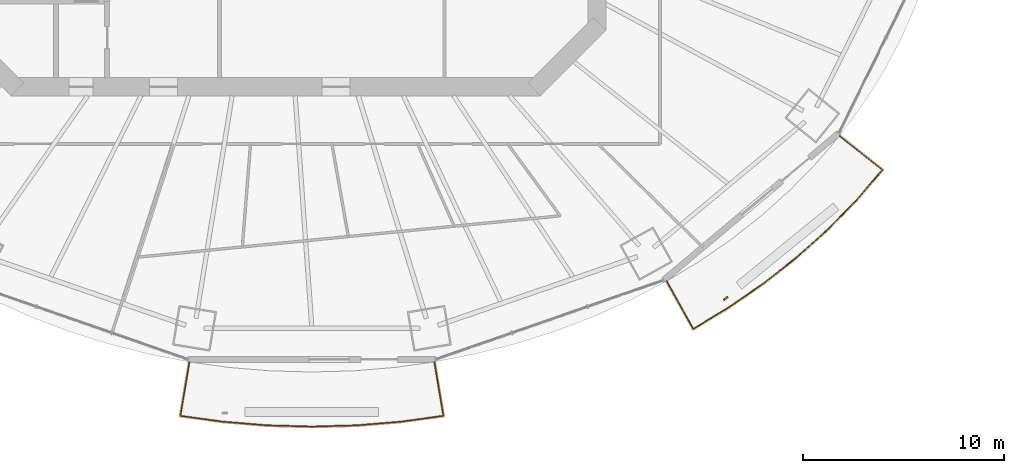
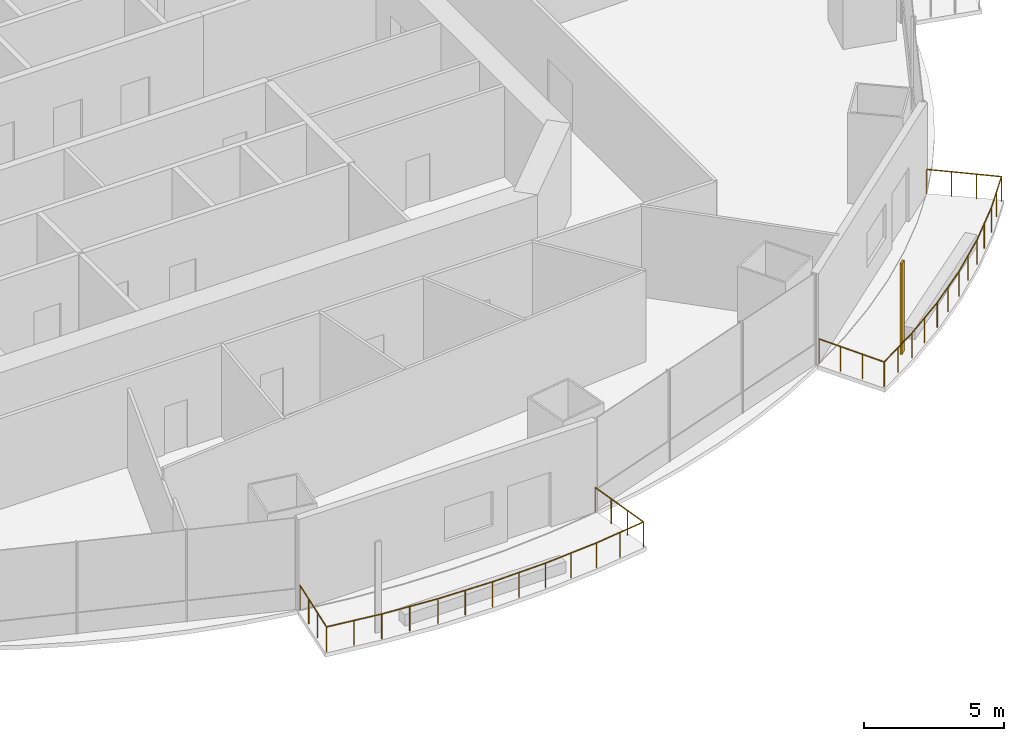
# One storey, part 17 of 21: 2 railings, 1 shading device.
"""IFC4 building model written with IfcOpenShell, lengths in metres."""

from ifc_helpers import new_model, si_unit, direction, frame, origin, origin_2d, place, context, subcontext, project, spatial, rectangle, circle, extrude, material, material_profile, profile_set, type_object, element, save


model = new_model("IFC4")

# Units and contexts
model_context = context("Model", 3, precision=1e-05, world=origin(), true_north=direction((0.0, 1.0)))
body_context = subcontext(model_context, "Body", "Model", "MODEL_VIEW")
ifc_project = project(units=[si_unit("LENGTHUNIT", "METRE"), si_unit("AREAUNIT", "SQUARE_METRE"), si_unit("VOLUMEUNIT", "CUBIC_METRE"), si_unit("PLANEANGLEUNIT", "RADIAN"), si_unit("MASSUNIT", "GRAM", prefix="KILO")], contexts=[model_context])

# Site, building, storey
site_placement = place(None, origin())
site = spatial("IfcSite", under=ifc_project, at=site_placement, CompositionType="ELEMENT")
building_placement = place(site_placement, origin())
building = spatial("IfcBuilding", under=site, at=building_placement, Name="Marenthal Gate Tower", CompositionType="ELEMENT")
storey_placement = place(building_placement, frame((0.0, 0.0, 206.699951171875)))
storey = spatial("IfcBuildingStorey", under=building, at=storey_placement, Name="L45", CompositionType="ELEMENT", Elevation=206.699951171875)

# Railings
ifc_material_1 = material(Name="Stainless steel", Category="steel")
railing_type = type_object("IfcRailingType", Name="Balcony guard 1100", PredefinedType="GUARDRAIL", material=ifc_material_1)
railing_1_placement = place(storey_placement, frame((7.90380859375, -26.716796875, 0.0)))
element("IfcRailing", 1, at=railing_1_placement, inside=storey, type_object=railing_type, Name="Balcony guard L45 bay 12", PredefinedType="GUARDRAIL", context=body_context, shape_type="SweptSolid", body=[
    extrude(circle(Radius=0.02392578125, at=origin_2d()), frame((0.0, 0.0, 1.076171875), z_axis=(0.16486141703, -0.98620691984, -0.01471816679), x_axis=(0.986313755456, 0.164879276438, 0.0)), (0.0, 0.0, 1.0), 2.720458984375),
    extrude(circle(Radius=0.02392578125, at=origin_2d()), frame((0.448486328125, -2.682861328125, 1.0361328125), z_axis=(-0.990663219108, -0.136331897612, 0.0), x_axis=(0.136331897612, -0.990663219108, 0.0)), (0.0, 0.0, 1.0), 2.136474609375),
    extrude(circle(Radius=0.02392578125, at=origin_2d()), frame((-1.66796875, -2.97412109375, 1.0361328125), z_axis=(-0.996604639132, -0.082335856465, 0.0), x_axis=(0.082335856465, -0.996604639132, 0.0)), (0.0, 0.0, 1.0), 2.220947265625),
    extrude(circle(Radius=0.02392578125, at=origin_2d()), frame((-3.88134765625, -3.156982421875, 1.0361328125), z_axis=(-0.999620072433, -0.027562851607, 0.0), x_axis=(0.027562851607, -0.999620072433, 0.0)), (0.0, 0.0, 1.0), 2.22314453125),
    extrude(circle(Radius=0.02392578125, at=origin_2d()), frame((-6.103759765625, -3.21826171875, 1.0361328125), z_axis=(-0.999620072433, 0.027562851607, 0.0), x_axis=(-0.027562851607, -0.999620072433, 0.0)), (0.0, 0.0, 1.0), 2.22314453125),
    extrude(circle(Radius=0.02392578125, at=origin_2d()), frame((-8.326171875, -3.156982421875, 1.0361328125), z_axis=(-0.996604639132, 0.082335856465, 0.0), x_axis=(-0.082335856465, -0.996604639132, 0.0)), (0.0, 0.0, 1.0), 2.220947265625),
    extrude(circle(Radius=0.02392578125, at=origin_2d()), frame((-10.53955078125, -2.97412109375, 1.0361328125), z_axis=(-0.990665342735, 0.136316465269, 0.0), x_axis=(-0.136316465269, -0.990665342735, 0.0)), (0.0, 0.0, 1.0), 2.13671875),
    extrude(circle(Radius=0.02392578125, at=origin_2d()), frame((-12.65625, -2.682861328125, 1.0361328125), z_axis=(0.16486141703, 0.98620691984, 0.01471816679), x_axis=(-0.986313755456, 0.164879276438, 0.0)), (0.0, 0.0, 1.0), 2.720458984375),
    extrude(circle(Radius=0.02099609375, at=origin_2d()), origin(), (0.0, 0.0, 1.0), 1.052001953125),
    extrude(circle(Radius=0.02099609375, at=origin_2d()), frame((0.1494140625, -0.894287109375, -0.013427734375)), (0.0, 0.0, 1.0), 1.052001953125),
    extrude(circle(Radius=0.02099609375, at=origin_2d()), frame((0.299072265625, -1.78857421875, -0.026611328125)), (0.0, 0.0, 1.0), 1.052001953125),
    extrude(circle(Radius=0.02099609375, at=origin_2d()), frame((0.448486328125, -2.682861328125, -0.0400390625)), (0.0, 0.0, 1.0), 1.052001953125),
    extrude(circle(Radius=0.02099609375, at=origin_2d()), frame((-0.60986328125, -2.82861328125, -0.0400390625)), (0.0, 0.0, 1.0), 1.052001953125),
    extrude(circle(Radius=0.02099609375, at=origin_2d()), frame((-1.66796875, -2.97412109375, -0.0400390625)), (0.0, 0.0, 1.0), 1.052001953125),
    extrude(circle(Radius=0.02099609375, at=origin_2d()), frame((-2.774658203125, -3.0654296875, -0.0400390625)), (0.0, 0.0, 1.0), 1.052001953125),
    extrude(circle(Radius=0.02099609375, at=origin_2d()), frame((-3.88134765625, -3.156982421875, -0.0400390625)), (0.0, 0.0, 1.0), 1.052001953125),
    extrude(circle(Radius=0.02099609375, at=origin_2d()), frame((-4.99267578125, -3.1875, -0.0400390625)), (0.0, 0.0, 1.0), 1.052001953125),
    extrude(circle(Radius=0.02099609375, at=origin_2d()), frame((-6.103759765625, -3.21826171875, -0.0400390625)), (0.0, 0.0, 1.0), 1.052001953125),
    extrude(circle(Radius=0.02099609375, at=origin_2d()), frame((-7.21484375, -3.1875, -0.0400390625)), (0.0, 0.0, 1.0), 1.052001953125),
    extrude(circle(Radius=0.02099609375, at=origin_2d()), frame((-8.326171875, -3.156982421875, -0.0400390625)), (0.0, 0.0, 1.0), 1.052001953125),
    extrude(circle(Radius=0.02099609375, at=origin_2d()), frame((-9.432861328125, -3.0654296875, -0.0400390625)), (0.0, 0.0, 1.0), 1.052001953125),
    extrude(circle(Radius=0.02099609375, at=origin_2d()), frame((-10.53955078125, -2.97412109375, -0.0400390625)), (0.0, 0.0, 1.0), 1.052001953125),
    extrude(circle(Radius=0.02099609375, at=origin_2d()), frame((-11.597900390625, -2.82861328125, -0.0400390625)), (0.0, 0.0, 1.0), 1.052001953125),
    extrude(circle(Radius=0.02099609375, at=origin_2d()), frame((-12.65625, -2.682861328125, -0.0400390625)), (0.0, 0.0, 1.0), 1.052001953125),
    extrude(circle(Radius=0.02099609375, at=origin_2d()), frame((-12.5068359375, -1.78857421875, -0.026611328125)), (0.0, 0.0, 1.0), 1.052001953125),
    extrude(circle(Radius=0.02099609375, at=origin_2d()), frame((-12.357177734375, -0.894287109375, -0.013427734375)), (0.0, 0.0, 1.0), 1.052001953125),
    extrude(circle(Radius=0.02099609375, at=origin_2d()), frame((-12.207763671875, 0.0, 0.0)), (0.0, 0.0, 1.0), 1.052001953125),
])
railing_2_placement = place(storey_placement, frame((28.10107421875, -15.44921875, 0.0)))
element("IfcRailing", 2, at=railing_2_placement, inside=storey, type_object=railing_type, Name="Balcony guard L45 bay 14", PredefinedType="GUARDRAIL", context=body_context, shape_type="SweptSolid", body=[
    extrude(circle(Radius=0.02392578125, at=origin_2d()), frame((0.0, 0.0, 1.076171875), z_axis=(0.782776566638, -0.62212877321, -0.014718568783), x_axis=(0.622196171988, 0.782861369313, 0.0)), (0.0, 0.0, 1.0), 2.72021484375),
    extrude(circle(Radius=0.02392578125, at=origin_2d()), frame((2.12939453125, -1.6923828125, 1.0361328125), z_axis=(-0.650106163754, -0.759843389028, 0.0), x_axis=(0.759843389028, -0.650106163754, 0.0)), (0.0, 0.0, 1.0), 1.966796875),
    extrude(circle(Radius=0.02392578125, at=origin_2d()), frame((0.850830078125, -3.186767578125, 1.0361328125), z_axis=(-0.698897192243, -0.715222143585, 0.0), x_axis=(0.715222143585, -0.698897192243, 0.0)), (0.0, 0.0, 1.0), 2.063720703125),
    extrude(circle(Radius=0.02392578125, at=origin_2d()), frame((-0.591552734375, -4.662841796875, 1.0361328125), z_axis=(-0.744529235913, -0.667589856776, 0.0), x_axis=(0.667589856776, -0.744529235913, 0.0)), (0.0, 0.0, 1.0), 2.08154296875),
    extrude(circle(Radius=0.02392578125, at=origin_2d()), frame((-2.141357421875, -6.052490234375, 1.0361328125), z_axis=(-0.785971142181, -0.618263183166, 0.0), x_axis=(0.618263183166, -0.785971142181, 0.0)), (0.0, 0.0, 1.0), 2.09912109375),
    extrude(circle(Radius=0.02392578125, at=origin_2d()), frame((-3.791259765625, -7.350341796875, 1.0361328125), z_axis=(-0.823307575665, -0.56759548611, 0.0), x_axis=(0.56759548611, -0.823307575665, 0.0)), (0.0, 0.0, 1.0), 2.11669921875),
    extrude(circle(Radius=0.02392578125, at=origin_2d()), frame((-5.533935546875, -8.5517578125, 1.0361328125), z_axis=(-0.856189474473, -0.516661962797, 0.0), x_axis=(0.516661962797, -0.856189474473, 0.0)), (0.0, 0.0, 1.0), 2.0537109375),
    extrude(circle(Radius=0.02392578125, at=origin_2d()), frame((-7.292236328125, -9.61279296875, 1.0361328125), z_axis=(-0.489654113359, 0.871792532473, 0.014718342117), x_axis=(-0.871886975849, -0.489707158764, 0.0)), (0.0, 0.0, 1.0), 2.720458984375),
    extrude(circle(Radius=0.02099609375, at=origin_2d()), origin(), (0.0, 0.0, 1.0), 1.052001953125),
    extrude(circle(Radius=0.02099609375, at=origin_2d()), frame((0.709716796875, -0.564208984375, -0.013427734375)), (0.0, 0.0, 1.0), 1.052001953125),
    extrude(circle(Radius=0.02099609375, at=origin_2d()), frame((1.419677734375, -1.128173828125, -0.026611328125)), (0.0, 0.0, 1.0), 1.052001953125),
    extrude(circle(Radius=0.02099609375, at=origin_2d()), frame((2.12939453125, -1.6923828125, -0.0400390625)), (0.0, 0.0, 1.0), 1.052001953125),
    extrude(circle(Radius=0.02099609375, at=origin_2d()), frame((1.490234375, -2.439453125, -0.0400390625)), (0.0, 0.0, 1.0), 1.052001953125),
    extrude(circle(Radius=0.02099609375, at=origin_2d()), frame((0.850830078125, -3.186767578125, -0.0400390625)), (0.0, 0.0, 1.0), 1.052001953125),
    extrude(circle(Radius=0.02099609375, at=origin_2d()), frame((0.129638671875, -3.9248046875, -0.0400390625)), (0.0, 0.0, 1.0), 1.052001953125),
    extrude(circle(Radius=0.02099609375, at=origin_2d()), frame((-0.591552734375, -4.662841796875, -0.0400390625)), (0.0, 0.0, 1.0), 1.052001953125),
    extrude(circle(Radius=0.02099609375, at=origin_2d()), frame((-1.366455078125, -5.357666015625, -0.0400390625)), (0.0, 0.0, 1.0), 1.052001953125),
    extrude(circle(Radius=0.02099609375, at=origin_2d()), frame((-2.141357421875, -6.052490234375, -0.0400390625)), (0.0, 0.0, 1.0), 1.052001953125),
    extrude(circle(Radius=0.02099609375, at=origin_2d()), frame((-2.96630859375, -6.701416015625, -0.0400390625)), (0.0, 0.0, 1.0), 1.052001953125),
    extrude(circle(Radius=0.02099609375, at=origin_2d()), frame((-3.791259765625, -7.350341796875, -0.0400390625)), (0.0, 0.0, 1.0), 1.052001953125),
    extrude(circle(Radius=0.02099609375, at=origin_2d()), frame((-4.66259765625, -7.951171875, -0.0400390625)), (0.0, 0.0, 1.0), 1.052001953125),
    extrude(circle(Radius=0.02099609375, at=origin_2d()), frame((-5.533935546875, -8.5517578125, -0.0400390625)), (0.0, 0.0, 1.0), 1.052001953125),
    extrude(circle(Radius=0.02099609375, at=origin_2d()), frame((-6.4130859375, -9.082275390625, -0.0400390625)), (0.0, 0.0, 1.0), 1.052001953125),
    extrude(circle(Radius=0.02099609375, at=origin_2d()), frame((-7.292236328125, -9.61279296875, -0.0400390625)), (0.0, 0.0, 1.0), 1.052001953125),
    extrude(circle(Radius=0.02099609375, at=origin_2d()), frame((-7.736328125, -8.822265625, -0.026611328125)), (0.0, 0.0, 1.0), 1.052001953125),
    extrude(circle(Radius=0.02099609375, at=origin_2d()), frame((-8.18017578125, -8.03173828125, -0.013427734375)), (0.0, 0.0, 1.0), 1.052001953125),
    extrude(circle(Radius=0.02099609375, at=origin_2d()), frame((-8.624267578125, -7.2412109375, 0.0)), (0.0, 0.0, 1.0), 1.052001953125),
])

# Shading device
ifc_material_2 = material(Name="Terracotta", Category="masonry")
ifc_material_profile = material_profile(ifc_material_2, rectangle(XDim=0.25, YDim=0.080078125, at=origin_2d()), Name="Terracotta baguette 250x80")
ifc_profile_set = profile_set([ifc_material_profile], Name="Terracotta")
shading_device_type = type_object("IfcShadingDeviceType", Name="Terracotta BAGUETTE SCREEN 250x80", PredefinedType="USERDEFINED", material=ifc_profile_set)
shading_device_placement = place(storey_placement, frame((22.424072265625, -23.54638671875, -0.0400390625), z_axis=(0.0, 0.0, 1.0), x_axis=(0.765704864788, 0.643192086425, 0.0)))
element("IfcShadingDevice", 3, at=shading_device_placement, inside=storey, type_object=shading_device_type, Name="Terracotta BAGUETTE L45 bay 14L", ObjectType="BAGUETTE SCREEN", PredefinedType="USERDEFINED", context=body_context, shape_type="SweptSolid", body=[
    extrude(rectangle(XDim=0.25, YDim=0.080078125, at=origin_2d()), origin(), (0.0, 0.0, 1.0), 3.969970703125),
])

save(model, "model.ifc")
